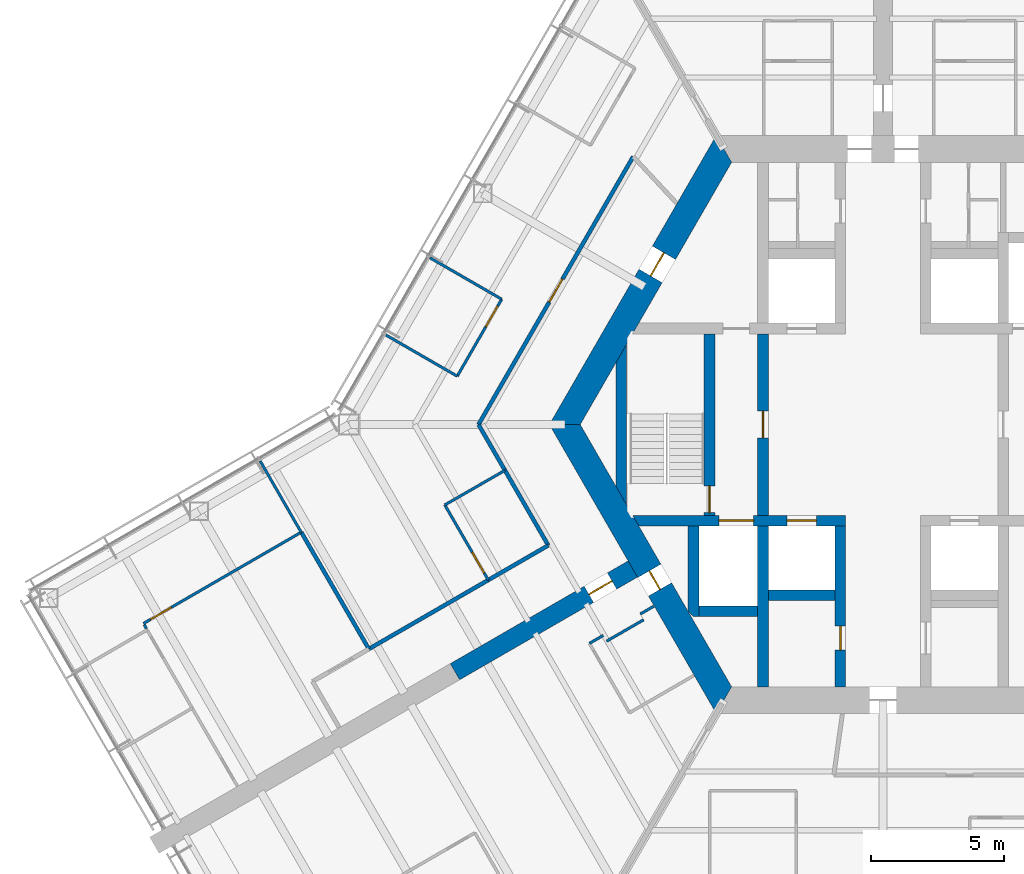
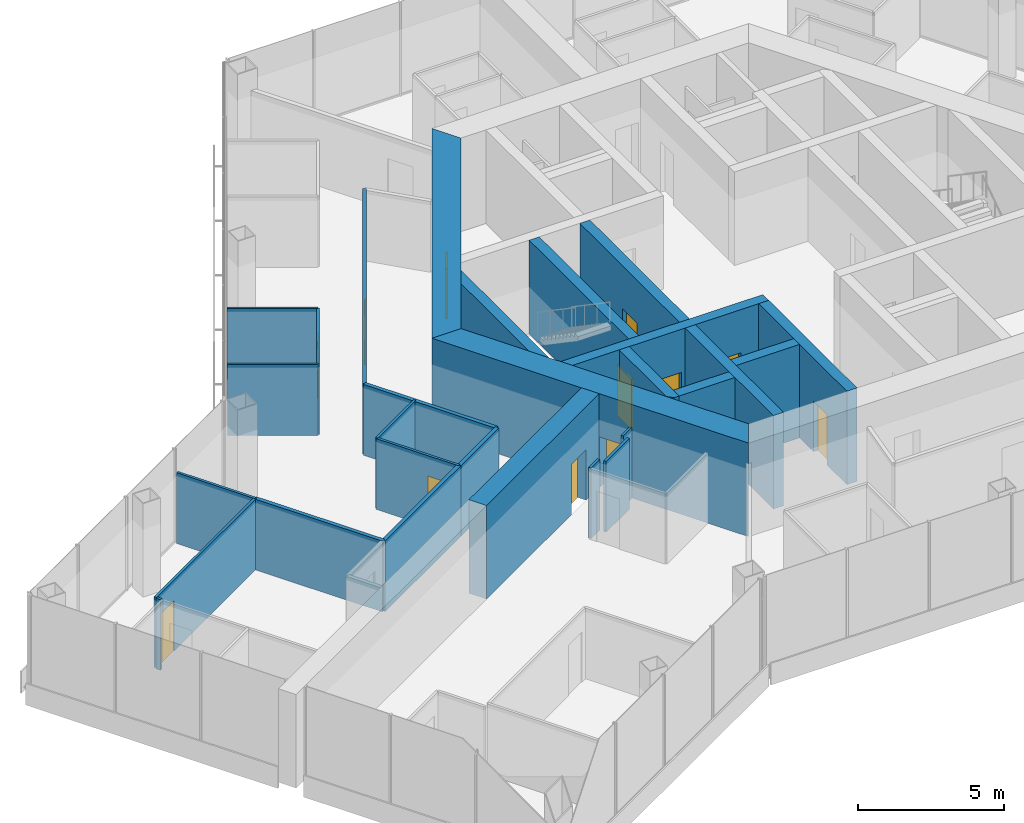
# One storey, part 12 of 19: 29 walls, 12 doors, 12 openings.
"""IFC4 building model written with IfcOpenShell, lengths in metres."""

from ifc_helpers import new_model, si_unit, direction, frame, frame_2d, origin, place, context, subcontext, project, spatial, polyline, rectangle, outline, extrude, material, layer, layer_set, type_object, element, fill, save


model = new_model("IFC4")

# Units and contexts
model_context = context("Model", 3, precision=1e-05, world=origin(), true_north=direction((0.0, 1.0)))
body_context = subcontext(model_context, "Body", "Model", "MODEL_VIEW")
ifc_project = project(units=[si_unit("LENGTHUNIT", "METRE"), si_unit("AREAUNIT", "SQUARE_METRE"), si_unit("VOLUMEUNIT", "CUBIC_METRE"), si_unit("PLANEANGLEUNIT", "RADIAN"), si_unit("MASSUNIT", "GRAM", prefix="KILO")], contexts=[model_context])

# Site, building, storey
site_placement = place(None, origin())
site = spatial("IfcSite", under=ifc_project, at=site_placement, CompositionType="ELEMENT")
building_placement = place(site_placement, origin())
building = spatial("IfcBuilding", under=site, at=building_placement, Name="Kasaneha Research Tower", CompositionType="ELEMENT")
storey_placement = place(building_placement, frame((0.0, 0.0, 156.5)))
storey = spatial("IfcBuildingStorey", under=building, at=storey_placement, Name="L39", CompositionType="ELEMENT", Elevation=156.5)

# Wall, openings, doors
ifc_material_1 = material(Name="Concrete Fc70", Category="concrete")
ifc_layer_1 = layer(ifc_material_1, 0.39990234375)
ifc_layer_set_1 = layer_set([ifc_layer_1], Name="Core internal wall 400 Fc70")
wall_type_1 = type_object("IfcWallType", Name="Core internal wall 400 Fc70", PredefinedType="SHEAR", material=ifc_layer_set_1)
wall_1_placement = place(storey_placement, frame((-9.266357421875, -3.60009765625, 0.0), z_axis=(0.0, 0.0, 1.0), x_axis=(1.0, 0.0, 0.0)))
wall_1 = element("IfcWall", 1, at=wall_1_placement, inside=storey, type_object=wall_type_1, Name="Core wall W2W L39", PredefinedType="SHEAR", context=body_context, shape_type="SweptSolid", body=[
    extrude(outline(polyline([(0.115478515625, -0.199951171875), (3.116455078125, -0.199951171875), (4.41650390625, -0.199951171875), (5.66650390625, -0.199951171875), (6.7666015625, -0.199951171875), (7.866455078125, -0.199951171875), (7.866455078125, 0.199951171875), (6.7666015625, 0.199951171875), (5.66650390625, 0.199951171875), (4.41650390625, 0.199951171875), (3.116455078125, 0.199951171875), (-0.115478515625, 0.199951171875), (0.115478515625, -0.199951171875)])), origin(), (0.0, 0.0, 1.0), 3.89990234375),
])
opening_1_placement = place(wall_1_placement, frame((5.66650390625, 0.0, 0.0)))
opening_1 = element("IfcOpeningElement", 2, at=opening_1_placement, cuts=wall_1, Name="Opening LD-LM3-L39", PredefinedType="OPENING", context=body_context, shape_type="SweptSolid", body=[
    extrude(rectangle(XDim=1.10009765625, YDim=2.10009765625, at=frame_2d((0.550048828125, 1.050048828125))), frame((0.0, 0.2099609375, 0.0), z_axis=(0.0, -1.0, 0.0), x_axis=(1.0, 0.0, 0.0)), (0.0, 0.0, 1.0), 0.419921875),
])
opening_2_placement = place(wall_1_placement, frame((3.116455078125, 0.0, 0.0)))
opening_2 = element("IfcOpeningElement", 3, at=opening_2_placement, cuts=wall_1, Name="Opening LD-FL2-L39", PredefinedType="OPENING", context=body_context, shape_type="SweptSolid", body=[
    extrude(rectangle(XDim=1.300048828125, YDim=2.10009765625, at=frame_2d((0.64990234375, 1.050048828125))), frame((0.0, 0.2099609375, 0.0), z_axis=(0.0, -1.0, 0.0), x_axis=(1.0, 0.0, 0.0)), (0.0, 0.0, 1.0), 0.419921875),
])
ifc_material_2 = material(Name="Steel", Category="steel")
door_type_1 = type_object("IfcDoorType", Name="Lift landing door 1100x2100", OperationType="DOUBLE_DOOR_SLIDING", PredefinedType="DOOR", material=ifc_material_2)
door_1_placement = place(opening_1_placement, origin())
door_1 = element("IfcDoor", 4, at=door_1_placement, inside=storey, type_object=door_type_1, Name="Landing door LM3 LD-LM3-L39", OperationType="DOUBLE_DOOR_SLIDING", OverallHeight=2.10009765625, OverallWidth=1.10009765625, PredefinedType="DOOR", context=body_context, shape_type="SweptSolid", body=[
    extrude(rectangle(XDim=1.10009765625, YDim=2.10009765625, at=frame_2d((0.550048828125, 1.050048828125))), frame((0.0, 0.02490234375, 0.0), z_axis=(0.0, -1.0, 0.0), x_axis=(1.0, 0.0, 0.0)), (0.0, 0.0, 1.0), 0.050048828125),
])
fill(opening_1, door_1)
ifc_material_3 = material(Name="Steel", Category="steel")
door_type_2 = type_object("IfcDoorType", Name="Lift landing door 1300x2100", OperationType="DOUBLE_DOOR_SLIDING", PredefinedType="DOOR", material=ifc_material_3)
door_2_placement = place(opening_2_placement, origin())
door_2 = element("IfcDoor", 5, at=door_2_placement, inside=storey, type_object=door_type_2, Name="Landing door FL2 LD-FL2-L39", OperationType="DOUBLE_DOOR_SLIDING", OverallHeight=2.10009765625, OverallWidth=1.300048828125, PredefinedType="DOOR", context=body_context, shape_type="SweptSolid", body=[
    extrude(rectangle(XDim=1.300048828125, YDim=2.10009765625, at=frame_2d((0.64990234375, 1.050048828125))), frame((0.0, 0.02490234375, 0.0), z_axis=(0.0, -1.0, 0.0), x_axis=(1.0, 0.0, 0.0)), (0.0, 0.0, 1.0), 0.050048828125),
])
fill(opening_2, door_2)

# Wall, opening, door
wall_2_placement = place(storey_placement, frame((-1.60009765625, -3.800048828125, 0.0), z_axis=(0.0, 0.0, 1.0), x_axis=(0.0, -1.0, 0.0)))
wall_2 = element("IfcWall", 6, at=wall_2_placement, inside=storey, type_object=wall_type_1, Name="Core wall CSW L39", PredefinedType="SHEAR", context=body_context, shape_type="SweptSolid", body=[
    extrude(rectangle(XDim=6.02490234375, YDim=0.39990234375, at=frame_2d((3.012451171875, 0.0))), origin(), (0.0, 0.0, 1.0), 3.89990234375),
])
opening_3_placement = place(wall_2_placement, frame((3.75, 0.0, 0.0)))
opening_3 = element("IfcOpeningElement", 7, at=opening_3_placement, cuts=wall_2, Name="Opening L39-D16", PredefinedType="OPENING", context=body_context, shape_type="SweptSolid", body=[
    extrude(rectangle(XDim=0.89990234375, YDim=2.10009765625, at=frame_2d((0.449951171875, 1.050048828125))), frame((0.0, 0.2099609375, 0.0), z_axis=(0.0, -1.0, 0.0), x_axis=(1.0, 0.0, 0.0)), (0.0, 0.0, 1.0), 0.419921875),
])
ifc_material_4 = material(Name="Steel", Category="steel")
door_type_3 = type_object("IfcDoorType", Name="Riser access door FD60 900x2100", OperationType="NOTDEFINED", PredefinedType="DOOR", material=ifc_material_4)
door_3_placement = place(opening_3_placement, origin())
door_3 = element("IfcDoor", 8, at=door_3_placement, inside=storey, type_object=door_type_3, Name="Electrical riser door L39-D16", OperationType="SINGLE_SWING_LEFT", OverallHeight=2.10009765625, OverallWidth=0.89990234375, PredefinedType="DOOR", context=body_context, shape_type="SweptSolid", body=[
    extrude(rectangle(XDim=0.89990234375, YDim=2.10009765625, at=frame_2d((0.449951171875, 1.050048828125))), frame((0.0, 0.02490234375, 0.0), z_axis=(0.0, -1.0, 0.0), x_axis=(1.0, 0.0, 0.0)), (0.0, 0.0, 1.0), 0.050048828125),
])
fill(opening_3, door_3)

wall_3_placement = place(storey_placement, frame((-4.5, -3.39990234375, 0.0), z_axis=(0.0, 0.0, 1.0), x_axis=(0.0, 1.0, 0.0)))
wall_3 = element("IfcWall", 9, at=wall_3_placement, inside=storey, type_object=wall_type_1, Name="Core wall LBW L39", PredefinedType="SHEAR", context=body_context, shape_type="SweptSolid", body=[
    extrude(rectangle(XDim=6.7998046875, YDim=0.39990234375, at=frame_2d((3.39990234375, 0.0))), origin(), (0.0, 0.0, 1.0), 3.89990234375),
])
opening_4_placement = place(wall_3_placement, frame((2.89990234375, 0.0, 0.0)))
opening_4 = element("IfcOpeningElement", 10, at=opening_4_placement, cuts=wall_3, Name="Opening L39-D09", PredefinedType="OPENING", context=body_context, shape_type="SweptSolid", body=[
    extrude(rectangle(XDim=1.0, YDim=2.10009765625, at=frame_2d((0.5, 1.050048828125))), frame((0.0, 0.2099609375, 0.0), z_axis=(0.0, -1.0, 0.0), x_axis=(1.0, 0.0, 0.0)), (0.0, 0.0, 1.0), 0.419921875),
])
ifc_material_5 = material(Name="Steel", Category="steel")
door_type_4 = type_object("IfcDoorType", Name="Specified fire door FD60 1000x2100", OperationType="NOTDEFINED", PredefinedType="DOOR", material=ifc_material_5)
door_4_placement = place(opening_4_placement, origin())
door_4 = element("IfcDoor", 11, at=door_4_placement, inside=storey, type_object=door_type_4, Name="Lift lobby door west L39-D09", OperationType="SINGLE_SWING_LEFT", OverallHeight=2.10009765625, OverallWidth=1.0, PredefinedType="DOOR", context=body_context, shape_type="SweptSolid", body=[
    extrude(rectangle(XDim=1.0, YDim=2.10009765625, at=frame_2d((0.5, 1.050048828125))), frame((0.0, 0.02490234375, 0.0), z_axis=(0.0, -1.0, 0.0), x_axis=(1.0, 0.0, 0.0)), (0.0, 0.0, 1.0), 0.050048828125),
])
fill(opening_4, door_4)

wall_4_placement = place(storey_placement, frame((-6.5, -3.39990234375, 0.0), z_axis=(0.0, 0.0, 1.0), x_axis=(0.0, 1.0, 0.0)))
wall_4 = element("IfcWall", 12, at=wall_4_placement, inside=storey, type_object=wall_type_1, Name="Core wall ANW L39", PredefinedType="SHEAR", context=body_context, shape_type="SweptSolid", body=[
    extrude(rectangle(XDim=6.7998046875, YDim=0.39990234375, at=frame_2d((3.39990234375, 0.0))), origin(), (0.0, 0.0, 1.0), 3.89990234375),
])
opening_5_placement = place(wall_4_placement, frame((0.10009765625, 0.0, 0.0)))
opening_5 = element("IfcOpeningElement", 13, at=opening_5_placement, cuts=wall_4, Name="Opening L39-D11", PredefinedType="OPENING", context=body_context, shape_type="SweptSolid", body=[
    extrude(rectangle(XDim=1.0, YDim=2.10009765625, at=frame_2d((0.5, 1.050048828125))), frame((0.0, 0.2099609375, 0.0), z_axis=(0.0, -1.0, 0.0), x_axis=(1.0, 0.0, 0.0)), (0.0, 0.0, 1.0), 0.419921875),
])
door_5_placement = place(opening_5_placement, origin())
door_5 = element("IfcDoor", 14, at=door_5_placement, inside=storey, type_object=door_type_4, Name="Stair 2 door L39-D11", OperationType="SINGLE_SWING_LEFT", OverallHeight=2.10009765625, OverallWidth=1.0, PredefinedType="DOOR", context=body_context, shape_type="SweptSolid", body=[
    extrude(rectangle(XDim=1.0, YDim=2.10009765625, at=frame_2d((0.5, 1.050048828125))), frame((0.0, 0.02490234375, 0.0), z_axis=(0.0, -1.0, 0.0), x_axis=(1.0, 0.0, 0.0)), (0.0, 0.0, 1.0), 0.050048828125),
])
fill(opening_5, door_5)

# Walls
wall_5_placement = place(storey_placement, frame((-4.5, -3.800048828125, 0.0), z_axis=(0.0, 0.0, 1.0), x_axis=(0.0, -1.0, 0.0)))
element("IfcWall", 15, at=wall_5_placement, inside=storey, type_object=wall_type_1, Name="Core wall SSW L39", PredefinedType="SHEAR", context=body_context, shape_type="SweptSolid", body=[
    extrude(rectangle(XDim=6.02490234375, YDim=0.39990234375, at=frame_2d((3.012451171875, 0.0))), origin(), (0.0, 0.0, 1.0), 3.89990234375),
])
wall_6_placement = place(storey_placement, frame((-4.300048828125, -6.39990234375, 0.0), z_axis=(0.0, 0.0, 1.0), x_axis=(1.0, 0.0, 0.0)))
element("IfcWall", 16, at=wall_6_placement, inside=storey, type_object=wall_type_1, Name="Core wall S1S L39", PredefinedType="SHEAR", context=body_context, shape_type="SweptSolid", body=[
    extrude(rectangle(XDim=2.5, YDim=0.39990234375, at=frame_2d((1.25, 0.0))), origin(), (0.0, 0.0, 1.0), 3.89990234375),
])
wall_7_placement = place(storey_placement, frame((-6.89990234375, -7.0, 0.0), z_axis=(0.0, 0.0, 1.0), x_axis=(1.0, 0.0, 0.0)))
element("IfcWall", 17, at=wall_7_placement, inside=storey, type_object=wall_type_1, Name="Core wall F2S L39", PredefinedType="SHEAR", context=body_context, shape_type="SweptSolid", body=[
    extrude(rectangle(XDim=2.199951171875, YDim=0.39990234375, at=frame_2d((1.10009765625, 0.0))), origin(), (0.0, 0.0, 1.0), 3.89990234375),
])
wall_8_placement = place(storey_placement, frame((-7.10009765625, -3.800048828125, 0.0), z_axis=(0.0, 0.0, 1.0), x_axis=(0.0, -1.0, 0.0)))
element("IfcWall", 18, at=wall_8_placement, inside=storey, type_object=wall_type_1, Name="Core wall F2W L39", PredefinedType="SHEAR", context=body_context, shape_type="SweptSolid", body=[
    extrude(outline(polyline([(0.0, -0.199951171875), (3.205810546875, -0.199951171875), (3.39990234375, 0.0), (3.39990234375, 0.199951171875), (0.0, 0.199951171875), (0.0, -0.199951171875)])), origin(), (0.0, 0.0, 1.0), 3.89990234375),
])
wall_9_placement = place(storey_placement, frame((-9.807861328125, -2.662353515625, 0.0), z_axis=(0.0, 0.0, 1.0), x_axis=(0.0, 1.0, 0.0)))
element("IfcWall", 19, at=wall_9_placement, inside=storey, type_object=wall_type_1, Name="Core wall STW L39", PredefinedType="SHEAR", context=body_context, shape_type="SweptSolid", body=[
    extrude(outline(polyline([(-0.346435546875, -0.199951171875), (5.671142578125, -0.199951171875), (4.978271484375, 0.199951171875), (0.346435546875, 0.199951171875), (-0.346435546875, -0.199951171875)])), origin(), (0.0, 0.0, 1.0), 3.89990234375),
])

# Wall, opening, door
ifc_material_6 = material(Name="Concrete Fc70", Category="concrete")
ifc_layer_2 = layer(ifc_material_6, 1.0)
ifc_layer_set_2 = layer_set([ifc_layer_2], Name="Core wall 1000 Fc70")
wall_type_2 = type_object("IfcWallType", Name="Core wall 1000 Fc70", PredefinedType="SHEAR", material=ifc_layer_set_2)
wall_10_placement = place(storey_placement, frame((-5.961181640625, 10.324951171875, 0.0), z_axis=(0.0, 0.0, 1.0), x_axis=(-0.500004296715, -0.866022923061, 0.0)))
wall_10 = element("IfcWall", 20, at=wall_10_placement, inside=storey, type_object=wall_type_2, Name="Core wall 150 L39", PredefinedType="SHEAR", context=body_context, shape_type="SweptSolid", body=[
    extrude(outline(polyline([(-0.28857421875, -0.5), (4.494140625, -0.5), (5.494140625, -0.5), (12.2109375, -0.5), (11.6337890625, 0.5), (5.494140625, 0.5), (4.494140625, 0.5), (0.28857421875, 0.5), (-0.28857421875, -0.5)])), origin(), (0.0, 0.0, 1.0), 3.89990234375),
])
opening_6_placement = place(wall_10_placement, frame((4.494140625, 0.0, 0.0)))
opening_6 = element("IfcOpeningElement", 21, at=opening_6_placement, cuts=wall_10, Name="Opening L39-D07", PredefinedType="OPENING", context=body_context, shape_type="SweptSolid", body=[
    extrude(rectangle(XDim=1.0, YDim=2.10009765625, at=frame_2d((0.5, 1.050048828125))), frame((0.0, 0.510009765625, 0.0), z_axis=(0.0, -1.0, 0.0), x_axis=(1.0, 0.0, 0.0)), (0.0, 0.0, 1.0), 1.02001953125),
])
ifc_material_7 = material(Name="Steel", Category="steel")
door_type_5 = type_object("IfcDoorType", Name="Fire door FD20 1000x2100", OperationType="NOTDEFINED", PredefinedType="DOOR", material=ifc_material_7)
door_6_placement = place(opening_6_placement, origin())
door_6 = element("IfcDoor", 22, at=door_6_placement, inside=storey, type_object=door_type_5, Name="Vestibule door L39-D07", OperationType="SINGLE_SWING_LEFT", OverallHeight=2.10009765625, OverallWidth=1.0, PredefinedType="DOOR", context=body_context, shape_type="SweptSolid", body=[
    extrude(rectangle(XDim=1.0, YDim=2.10009765625, at=frame_2d((0.5, 1.050048828125))), frame((0.0, 0.02490234375, 0.0), z_axis=(0.0, -1.0, 0.0), x_axis=(1.0, 0.0, 0.0)), (0.0, 0.0, 1.0), 0.050048828125),
])
fill(opening_6, door_6)

wall_11_placement = place(storey_placement, frame((-11.92236328125, 0.0, 0.0), z_axis=(0.0, 0.0, 1.0), x_axis=(0.500004296715, -0.866022923061, 0.0)))
wall_11 = element("IfcWall", 23, at=wall_11_placement, inside=storey, type_object=wall_type_2, Name="Core wall 210 L39", PredefinedType="SHEAR", context=body_context, shape_type="SweptSolid", body=[
    extrude(outline(polyline([(-0.28857421875, -0.5), (6.3310546875, -0.5), (7.131103515625, -0.5), (12.2109375, -0.5), (11.6337890625, 0.5), (7.131103515625, 0.5), (6.3310546875, 0.5), (0.28857421875, 0.5), (-0.28857421875, -0.5)])), origin(), (0.0, 0.0, 1.0), 3.89990234375),
])
opening_7_placement = place(wall_11_placement, frame((6.3310546875, 0.0, 0.0)))
opening_7 = element("IfcOpeningElement", 24, at=opening_7_placement, cuts=wall_11, Name="Opening L39-D06", PredefinedType="OPENING", context=body_context, shape_type="SweptSolid", body=[
    extrude(rectangle(XDim=0.800048828125, YDim=2.10009765625, at=frame_2d((0.39990234375, 1.050048828125))), frame((0.0, 0.510009765625, 0.0), z_axis=(0.0, -1.0, 0.0), x_axis=(1.0, 0.0, 0.0)), (0.0, 0.0, 1.0), 1.02001953125),
])
ifc_material_8 = material(Name="Steel", Category="steel")
door_type_6 = type_object("IfcDoorType", Name="Riser access door FD60 800x2100", OperationType="NOTDEFINED", PredefinedType="DOOR", material=ifc_material_8)
door_7_placement = place(opening_7_placement, origin())
door_7 = element("IfcDoor", 25, at=door_7_placement, inside=storey, type_object=door_type_6, Name="Duct riser door L39-D06", OperationType="SINGLE_SWING_RIGHT", OverallHeight=2.10009765625, OverallWidth=0.800048828125, PredefinedType="DOOR", context=body_context, shape_type="SweptSolid", body=[
    extrude(rectangle(XDim=0.800048828125, YDim=2.10009765625, at=frame_2d((0.39990234375, 1.050048828125))), frame((0.0, 0.02490234375, 0.0), z_axis=(0.0, -1.0, 0.0), x_axis=(1.0, 0.0, 0.0)), (0.0, 0.0, 1.0), 0.050048828125),
])
fill(opening_7, door_7)

# Wall
ifc_material_9 = material(Name="Gypsum board on steel studs, one layer each side", Category="steel")
ifc_layer_3 = layer(ifc_material_9, 0.10009765625)
ifc_layer_set_3 = layer_set([ifc_layer_3], Name="Office partition 100")
wall_type_3 = type_object("IfcWallType", Name="Office partition 100", PredefinedType="PARTITIONING", material=ifc_layer_set_3)
wall_12_placement = place(storey_placement, frame((-23.332275390625, -1.36962890625, 0.0), z_axis=(0.0, 0.0, 1.0), x_axis=(0.498672165233, -0.866790673474, 0.0)))
element("IfcWall", 26, at=wall_12_placement, inside=storey, type_object=wall_type_3, Name="Office partition FBN10 L39", PredefinedType="PARTITIONING", context=body_context, shape_type="SweptSolid", body=[
    extrude(rectangle(XDim=3.080078125, YDim=0.10009765625, at=frame_2d((1.5400390625, 0.0))), origin(), (0.0, 0.0, 1.0), 2.949951171875),
])

# Wall, opening, door
wall_13_placement = place(storey_placement, frame((-21.79443359375, -4.033203125, 0.0), z_axis=(0.0, 0.0, 1.0), x_axis=(-0.865641620016, -0.500664144607, 0.0)))
wall_13 = element("IfcWall", 27, at=wall_13_placement, inside=storey, type_object=wall_type_3, Name="Office partition FBN11 L39", PredefinedType="PARTITIONING", context=body_context, shape_type="SweptSolid", body=[
    extrude(rectangle(XDim=6.828369140625, YDim=0.10009765625, at=frame_2d((3.4140625, 0.0))), origin(), (0.0, 0.0, 1.0), 2.949951171875),
])
opening_8_placement = place(wall_13_placement, frame((5.62841796875, 0.0, 0.0)))
opening_8 = element("IfcOpeningElement", 28, at=opening_8_placement, cuts=wall_13, Name="Opening L39-D37", PredefinedType="OPENING", context=body_context, shape_type="SweptSolid", body=[
    extrude(rectangle(XDim=0.89990234375, YDim=2.10009765625, at=frame_2d((0.449951171875, 1.050048828125))), frame((0.0, 0.06005859375, 0.0), z_axis=(0.0, -1.0, 0.0), x_axis=(1.0, 0.0, 0.0)), (0.0, 0.0, 1.0), 0.1201171875),
])
ifc_material_10 = material(Name="Timber veneer", Category="wood")
door_type_7 = type_object("IfcDoorType", Name="Office door 900x2100", OperationType="SINGLE_SWING_LEFT", PredefinedType="DOOR", material=ifc_material_10)
door_8_placement = place(opening_8_placement, origin())
door_8 = element("IfcDoor", 29, at=door_8_placement, inside=storey, type_object=door_type_7, Name="Manager's office door L39-D37", OperationType="SINGLE_SWING_RIGHT", OverallHeight=2.10009765625, OverallWidth=0.89990234375, PredefinedType="DOOR", context=body_context, shape_type="SweptSolid", body=[
    extrude(rectangle(XDim=0.89990234375, YDim=2.10009765625, at=frame_2d((0.449951171875, 1.050048828125))), frame((0.0, 0.02490234375, 0.0), z_axis=(0.0, -1.0, 0.0), x_axis=(1.0, 0.0, 0.0)), (0.0, 0.0, 1.0), 0.050048828125),
])
fill(opening_8, door_8)

# Walls
wall_14_placement = place(storey_placement, frame((-16.97607421875, 6.247802734375, 0.0), z_axis=(0.0, 0.0, 1.0), x_axis=(0.866023220135, -0.500003782172, 0.0)))
element("IfcWall", 30, at=wall_14_placement, inside=storey, type_object=wall_type_3, Name="Office partition FBN15 L39", PredefinedType="PARTITIONING", context=body_context, shape_type="SweptSolid", body=[
    extrude(rectangle(XDim=3.10498046875, YDim=0.10009765625, at=frame_2d((1.552490234375, 0.0))), origin(), (0.0, 0.0, 1.0), 2.949951171875),
])
wall_15_placement = place(storey_placement, frame((-15.952392578125, 1.810546875, 0.0), z_axis=(0.0, 0.0, 1.0), x_axis=(-0.866029832698, 0.499992328818, 0.0)))
element("IfcWall", 31, at=wall_15_placement, inside=storey, type_object=wall_type_3, Name="Office partition FBN16 L39", PredefinedType="PARTITIONING", context=body_context, shape_type="SweptSolid", body=[
    extrude(rectangle(XDim=3.080078125, YDim=0.10009765625, at=frame_2d((1.5400390625, 0.0))), origin(), (0.0, 0.0, 1.0), 2.949951171875),
])

# Wall, opening, door
wall_16_placement = place(storey_placement, frame((-14.287109375, 4.6953125, 0.0), z_axis=(0.0, 0.0, 1.0), x_axis=(-0.499946633866, -0.866056212544, 0.0)))
wall_16 = element("IfcWall", 32, at=wall_16_placement, inside=storey, type_object=wall_type_3, Name="Office partition FBN17 L39", PredefinedType="PARTITIONING", context=body_context, shape_type="SweptSolid", body=[
    extrude(rectangle(XDim=3.330810546875, YDim=0.10009765625, at=frame_2d((1.66552734375, 0.0))), origin(), (0.0, 0.0, 1.0), 2.949951171875),
])
opening_9_placement = place(wall_16_placement, frame((0.300048828125, 0.0, 0.0)))
opening_9 = element("IfcOpeningElement", 33, at=opening_9_placement, cuts=wall_16, Name="Opening L39-D40", PredefinedType="OPENING", context=body_context, shape_type="SweptSolid", body=[
    extrude(rectangle(XDim=0.89990234375, YDim=2.10009765625, at=frame_2d((0.449951171875, 1.050048828125))), frame((0.0, 0.06005859375, 0.0), z_axis=(0.0, -1.0, 0.0), x_axis=(1.0, 0.0, 0.0)), (0.0, 0.0, 1.0), 0.1201171875),
])
door_9_placement = place(opening_9_placement, origin())
door_9 = element("IfcDoor", 34, at=door_9_placement, inside=storey, type_object=door_type_7, Name="Manager's office door L39-D40", OperationType="SINGLE_SWING_LEFT", OverallHeight=2.10009765625, OverallWidth=0.89990234375, PredefinedType="DOOR", context=body_context, shape_type="SweptSolid", body=[
    extrude(rectangle(XDim=0.89990234375, YDim=2.10009765625, at=frame_2d((0.449951171875, 1.050048828125))), frame((0.0, 0.02490234375, 0.0), z_axis=(0.0, -1.0, 0.0), x_axis=(1.0, 0.0, 0.0)), (0.0, 0.0, 1.0), 0.050048828125),
])
fill(opening_9, door_9)

# Wall
wall_17_placement = place(storey_placement, frame((-16.418212890625, -3.0126953125, 0.0), z_axis=(0.0, 0.0, 1.0), x_axis=(0.866881956025, 0.49851346453, 0.0)))
element("IfcWall", 35, at=wall_17_placement, inside=storey, type_object=wall_type_3, Name="Office partition FBN21 L39", PredefinedType="PARTITIONING", context=body_context, shape_type="SweptSolid", body=[
    extrude(rectangle(XDim=2.60009765625, YDim=0.10009765625, at=frame_2d((1.300048828125, 0.0))), origin(), (0.0, 0.0, 1.0), 2.949951171875),
])

# Wall, opening, door
wall_18_placement = place(storey_placement, frame((-14.789306640625, -5.8251953125, 0.0), z_axis=(0.0, 0.0, 1.0), x_axis=(-0.501178393243, 0.865343988334, 0.0)))
wall_18 = element("IfcWall", 36, at=wall_18_placement, inside=storey, type_object=wall_type_3, Name="Office partition FBN22 L39", PredefinedType="PARTITIONING", context=body_context, shape_type="SweptSolid", body=[
    extrude(rectangle(XDim=3.250244140625, YDim=0.10009765625, at=frame_2d((1.625, 0.0))), origin(), (0.0, 0.0, 1.0), 2.949951171875),
])
opening_10_placement = place(wall_18_placement, frame((0.300048828125, 0.0, 0.0)))
opening_10 = element("IfcOpeningElement", 37, at=opening_10_placement, cuts=wall_18, Name="Opening L39-D42", PredefinedType="OPENING", context=body_context, shape_type="SweptSolid", body=[
    extrude(rectangle(XDim=0.89990234375, YDim=2.10009765625, at=frame_2d((0.449951171875, 1.050048828125))), frame((0.0, 0.06005859375, 0.0), z_axis=(0.0, -1.0, 0.0), x_axis=(1.0, 0.0, 0.0)), (0.0, 0.0, 1.0), 0.1201171875),
])
door_10_placement = place(opening_10_placement, origin())
door_10 = element("IfcDoor", 38, at=door_10_placement, inside=storey, type_object=door_type_7, Name="Document store door L39-D42", OperationType="SINGLE_SWING_LEFT", OverallHeight=2.10009765625, OverallWidth=0.89990234375, PredefinedType="DOOR", context=body_context, shape_type="SweptSolid", body=[
    extrude(rectangle(XDim=0.89990234375, YDim=2.10009765625, at=frame_2d((0.449951171875, 1.050048828125))), frame((0.0, 0.02490234375, 0.0), z_axis=(0.0, -1.0, 0.0), x_axis=(1.0, 0.0, 0.0)), (0.0, 0.0, 1.0), 0.050048828125),
])
fill(opening_10, door_10)

# Walls
wall_19_placement = place(storey_placement, frame((-10.99951171875, -8.197998046875, 0.0), z_axis=(0.0, 0.0, 1.0), x_axis=(0.866131372301, 0.499816412211, 0.0)))
element("IfcWall", 39, at=wall_19_placement, inside=storey, type_object=wall_type_3, Name="Office partition FBS01 L39", PredefinedType="PARTITIONING", context=body_context, shape_type="SweptSolid", body=[
    extrude(rectangle(XDim=0.599853515625, YDim=0.10009765625, at=frame_2d((0.2998046875, 0.0))), origin(), (0.0, 0.0, 1.0), 2.949951171875),
])
wall_20_placement = place(storey_placement, frame((-10.35498046875, -8.114501953125, 0.0), z_axis=(0.0, 0.0, 1.0), x_axis=(0.866094119867, 0.499880961361, 0.0)))
element("IfcWall", 40, at=wall_20_placement, inside=storey, type_object=wall_type_3, Name="Office partition FBS02 L39", PredefinedType="PARTITIONING", context=body_context, shape_type="SweptSolid", body=[
    extrude(rectangle(XDim=1.60009765625, YDim=0.10009765625, at=frame_2d((0.800048828125, 0.0))), origin(), (0.0, 0.0, 1.0), 2.949951171875),
])
wall_21_placement = place(storey_placement, frame((-9.09423828125, -7.09814453125, 0.0), z_axis=(0.0, 0.0, 1.0), x_axis=(0.865954211699, 0.50012328804, 0.0)))
element("IfcWall", 41, at=wall_21_placement, inside=storey, type_object=wall_type_3, Name="Office partition FBS04 L39", PredefinedType="PARTITIONING", context=body_context, shape_type="SweptSolid", body=[
    extrude(rectangle(XDim=0.579833984375, YDim=0.10009765625, at=frame_2d((0.2900390625, 0.0))), origin(), (0.0, 0.0, 1.0), 2.949951171875),
])
wall_22_placement = place(storey_placement, frame((-27.680419921875, -7.495361328125, 0.0), z_axis=(0.0, 0.0, 1.0), x_axis=(0.498212524781, -0.867054946443, 0.0)))
element("IfcWall", 42, at=wall_22_placement, inside=storey, type_object=wall_type_3, Name="Office partition closer PT5 L39", PredefinedType="PARTITIONING", context=body_context, shape_type="SweptSolid", body=[
    extrude(rectangle(XDim=0.177490234375, YDim=0.10009765625, at=frame_2d((0.0888671875, 0.0))), origin(), (0.0, 0.0, 1.0), 2.949951171875),
])

# Wall, opening, door
ifc_material_11 = material(Name="Concrete Fc70", Category="concrete")
ifc_layer_4 = layer(ifc_material_11, 0.699951171875)
ifc_layer_set_4 = layer_set([ifc_layer_4], Name="Spine wall 700 Fc70")
wall_type_4 = type_object("IfcWallType", Name="Spine wall 700 Fc70", PredefinedType="SHEAR", material=ifc_layer_set_4)
wall_23_placement = place(storey_placement, frame((-9.374755859375, -5.41259765625, 0.0), z_axis=(0.0, 0.0, 1.0), x_axis=(-0.866032377459, -0.499987921047, 0.0)))
wall_23 = element("IfcWall", 43, at=wall_23_placement, inside=storey, type_object=wall_type_4, Name="Spine wall B L39", PredefinedType="SHEAR", context=body_context, shape_type="SweptSolid", body=[
    extrude(rectangle(XDim=7.695556640625, YDim=0.699951171875, at=frame_2d((3.84765625, 0.0))), origin(), (0.0, 0.0, 1.0), 3.89990234375),
])
opening_11_placement = place(wall_23_placement, frame((0.89990234375, 0.0, 0.0)))
opening_11 = element("IfcOpeningElement", 44, at=opening_11_placement, cuts=wall_23, Name="Opening L39-D18", PredefinedType="OPENING", context=body_context, shape_type="SweptSolid", body=[
    extrude(rectangle(XDim=1.0, YDim=2.10009765625, at=frame_2d((0.5, 1.050048828125))), frame((0.0, 0.35986328125, 0.0), z_axis=(0.0, -1.0, 0.0), x_axis=(1.0, 0.0, 0.0)), (0.0, 0.0, 1.0), 0.719970703125),
])
door_11_placement = place(opening_11_placement, origin())
door_11 = element("IfcDoor", 45, at=door_11_placement, inside=storey, type_object=door_type_4, Name="Spine doorway B L39-D18", OperationType="SINGLE_SWING_LEFT", OverallHeight=2.10009765625, OverallWidth=1.0, PredefinedType="DOOR", context=body_context, shape_type="SweptSolid", body=[
    extrude(rectangle(XDim=1.0, YDim=2.10009765625, at=frame_2d((0.5, 1.050048828125))), frame((0.0, 0.02490234375, 0.0), z_axis=(0.0, -1.0, 0.0), x_axis=(1.0, 0.0, 0.0)), (0.0, 0.0, 1.0), 0.050048828125),
])
fill(opening_11, door_11)

# Walls
ifc_material_12 = material(Name="Gypsum board on steel studs, two layers each side", Category="steel")
ifc_layer_5 = layer(ifc_material_12, 0.14990234375)
ifc_layer_set_5 = layer_set([ifc_layer_5], Name="Suite partition 150")
wall_type_5 = type_object("IfcWallType", Name="Suite partition 150", PredefinedType="PARTITIONING", material=ifc_layer_set_5)
wall_24_placement = place(storey_placement, frame((-14.797607421875, -5.829833984375, 0.0), z_axis=(0.0, 0.0, 1.0), x_axis=(0.866037327638, 0.49997934671, 0.0)))
element("IfcWall", 46, at=wall_24_placement, inside=storey, type_object=wall_type_5, Name="Suite partition FBN01 L39", PredefinedType="PARTITIONING", context=body_context, shape_type="SweptSolid", body=[
    extrude(rectangle(XDim=2.60498046875, YDim=0.14990234375, at=frame_2d((1.302490234375, 0.0))), origin(), (0.0, 0.0, 1.0), 2.949951171875),
])
wall_25_placement = place(storey_placement, frame((-12.54150390625, -4.52734375, 0.0), z_axis=(0.0, 0.0, 1.0), x_axis=(-0.50005140263, 0.865995724428, 0.0)))
element("IfcWall", 47, at=wall_25_placement, inside=storey, type_object=wall_type_5, Name="Suite partition FBN02 L39", PredefinedType="PARTITIONING", context=body_context, shape_type="SweptSolid", body=[
    extrude(rectangle(XDim=3.255126953125, YDim=0.14990234375, at=frame_2d((1.62744140625, 0.0))), origin(), (0.0, 0.0, 1.0), 2.949951171875),
])
wall_26_placement = place(storey_placement, frame((-19.271484375, -8.412841796875, 0.0), z_axis=(0.0, 0.0, 1.0), x_axis=(0.866037119867, 0.4999797066, 0.0)))
element("IfcWall", 48, at=wall_26_placement, inside=storey, type_object=wall_type_5, Name="Suite partition FBN03 L39", PredefinedType="PARTITIONING", context=body_context, shape_type="SweptSolid", body=[
    extrude(rectangle(XDim=5.175537109375, YDim=0.14990234375, at=frame_2d((2.587890625, 0.0))), origin(), (0.0, 0.0, 1.0), 2.949951171875),
])

# Wall, opening, door
wall_27_placement = place(storey_placement, frame((-15.155517578125, 0.0, 0.0), z_axis=(0.0, 0.0, 1.0), x_axis=(0.500012970505, 0.86601791513, 0.0)))
wall_27 = element("IfcWall", 49, at=wall_27_placement, inside=storey, type_object=wall_type_5, Name="Suite partition FBN04 L39", PredefinedType="PARTITIONING", context=body_context, shape_type="SweptSolid", body=[
    extrude(rectangle(XDim=11.590576171875, YDim=0.14990234375, at=frame_2d((5.79541015625, 0.0))), origin(), (0.0, 0.0, 1.0), 2.949951171875),
])
opening_12_placement = place(wall_27_placement, frame((5.295166015625, 0.0, 0.0)))
opening_12 = element("IfcOpeningElement", 50, at=opening_12_placement, cuts=wall_27, Name="Opening L39-D35", PredefinedType="OPENING", context=body_context, shape_type="SweptSolid", body=[
    extrude(rectangle(XDim=1.0, YDim=2.10009765625, at=frame_2d((0.5, 1.050048828125))), frame((0.0, 0.0849609375, 0.0), z_axis=(0.0, -1.0, 0.0), x_axis=(1.0, 0.0, 0.0)), (0.0, 0.0, 1.0), 0.169921875),
])
ifc_material_13 = material(Name="Steel", Category="steel")
door_type_8 = type_object("IfcDoorType", Name="Suite entrance door FD60 1000x2100", OperationType="NOTDEFINED", PredefinedType="DOOR", material=ifc_material_13)
door_12_placement = place(opening_12_placement, origin())
door_12 = element("IfcDoor", 51, at=door_12_placement, inside=storey, type_object=door_type_8, Name="Suite entrance door L39-D35", OperationType="SINGLE_SWING_RIGHT", OverallHeight=2.10009765625, OverallWidth=1.0, PredefinedType="DOOR", context=body_context, shape_type="SweptSolid", body=[
    extrude(rectangle(XDim=1.0, YDim=2.10009765625, at=frame_2d((0.5, 1.050048828125))), frame((0.0, 0.02490234375, 0.0), z_axis=(0.0, -1.0, 0.0), x_axis=(1.0, 0.0, 0.0)), (0.0, 0.0, 1.0), 0.050048828125),
])
fill(opening_12, door_12)

# Walls
wall_28_placement = place(storey_placement, frame((-14.164306640625, -1.716552734375, 0.0), z_axis=(0.0, 0.0, 1.0), x_axis=(-0.500060066726, 0.865990721466, 0.0)))
element("IfcWall", 52, at=wall_28_placement, inside=storey, type_object=wall_type_5, Name="Suite partition FBN05 L39", PredefinedType="PARTITIONING", context=body_context, shape_type="SweptSolid", body=[
    extrude(rectangle(XDim=1.982177734375, YDim=0.14990234375, at=frame_2d((0.9912109375, 0.0))), origin(), (0.0, 0.0, 1.0), 2.949951171875),
])
wall_29_placement = place(storey_placement, frame((-19.26318359375, -8.407470703125, 0.0), z_axis=(0.0, 0.0, 1.0), x_axis=(-0.500798224572, 0.865564057864, 0.0)))
element("IfcWall", 53, at=wall_29_placement, inside=storey, type_object=wall_type_5, Name="Suite partition FBN23 L39", PredefinedType="PARTITIONING", context=body_context, shape_type="SweptSolid", body=[
    extrude(rectangle(XDim=5.053955078125, YDim=0.14990234375, at=frame_2d((2.52685546875, 0.0))), origin(), (0.0, 0.0, 1.0), 2.949951171875),
])

save(model, "model.ifc")
